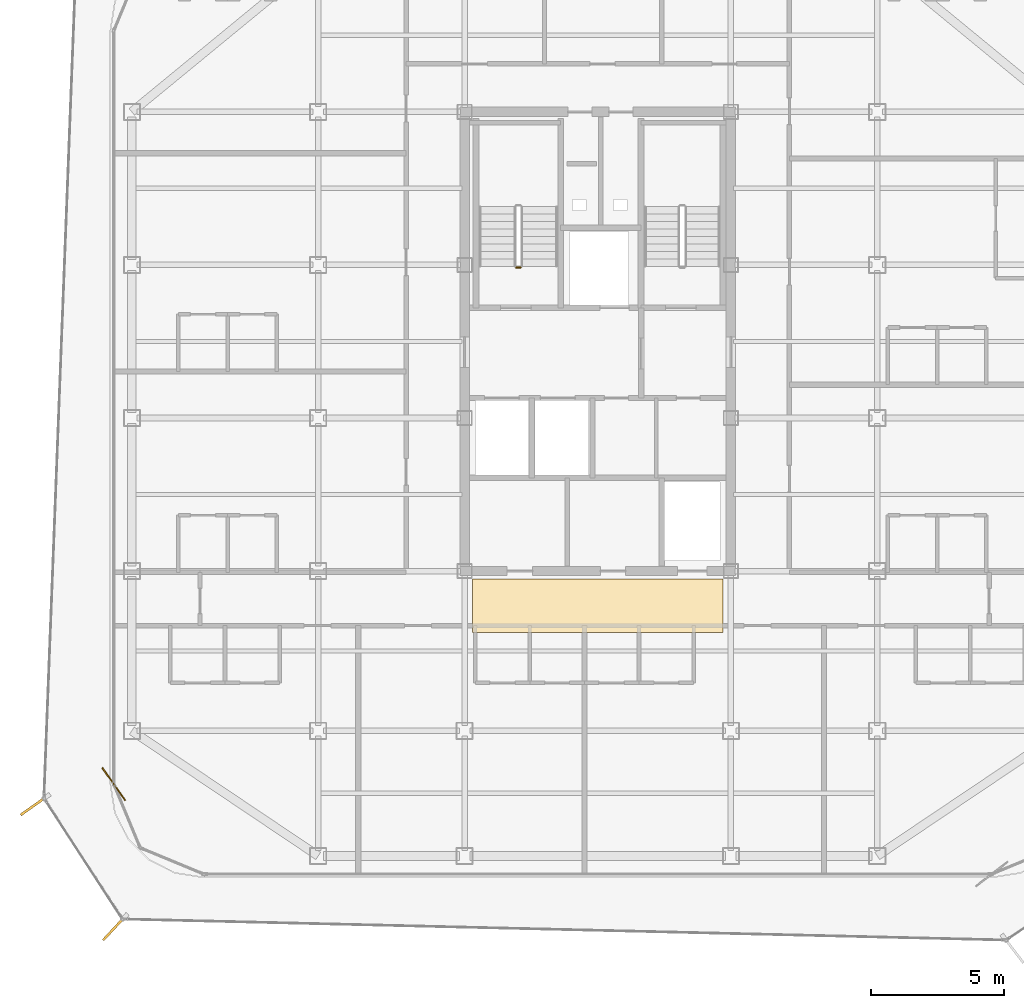
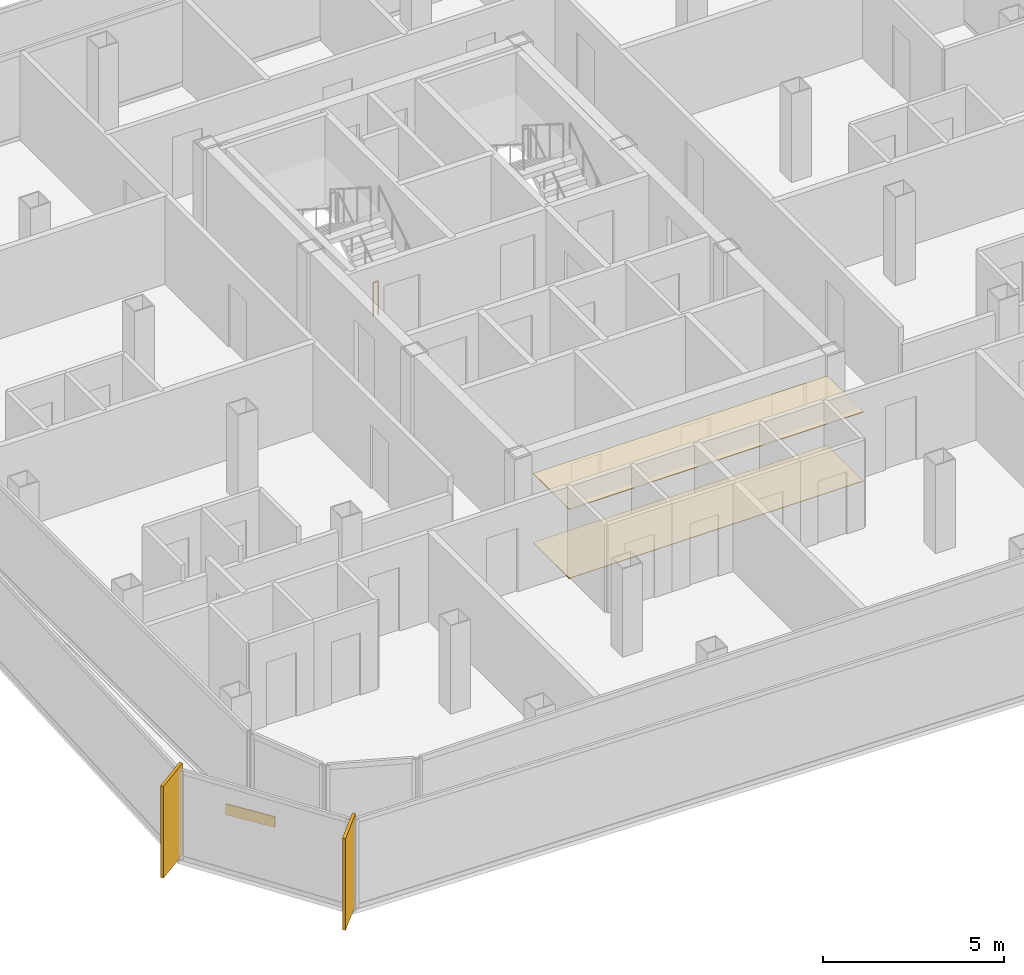
# One storey, part 14 of 16: 3 coverings, 2 shading devices, 1 railing.
"""IFC4 building model written with IfcOpenShell, lengths in metres."""

from ifc_helpers import new_model, si_unit, direction, frame, origin, origin_2d, place, context, subcontext, project, spatial, polyline, rectangle, circle, outline, extrude, source, transform, mapped, material, layer, layer_set, type_object, element, save


model = new_model("IFC4")

# Units and contexts
model_context = context("Model", 3, precision=1e-05, world=origin(), true_north=direction((0.0, 1.0)))
body_context = subcontext(model_context, "Body", "Model", "MODEL_VIEW")
ifc_project = project(units=[si_unit("LENGTHUNIT", "METRE"), si_unit("AREAUNIT", "SQUARE_METRE"), si_unit("VOLUMEUNIT", "CUBIC_METRE"), si_unit("PLANEANGLEUNIT", "RADIAN"), si_unit("MASSUNIT", "GRAM", prefix="KILO")], contexts=[model_context])

# Site, building, storey
site_placement = place(None, origin())
site = spatial("IfcSite", under=ifc_project, at=site_placement, CompositionType="ELEMENT")
building_placement = place(site_placement, origin())
building = spatial("IfcBuilding", under=site, at=building_placement, Name="Kolveth Station Tower", CompositionType="ELEMENT")
storey_placement = place(building_placement, frame((0.0, 0.0, 236.10009765625)))
storey = spatial("IfcBuildingStorey", under=building, at=storey_placement, Name="L67", CompositionType="ELEMENT", Elevation=236.10009765625)

# Coverings
ifc_material_1 = material(Name="Acoustic mineral-fibre ceiling tile")
ifc_layer_1 = layer(ifc_material_1, 0.02490234375)
ifc_layer_set_1 = layer_set([ifc_layer_1], Name="Acoustic mineral-fibre ceiling tile")
covering_type_1 = type_object("IfcCoveringType", Name="Ceil_CL1", PredefinedType="CEILING", material=ifc_layer_set_1)
covering_1_placement = place(storey_placement, frame((0.0, 0.0, 2.329833984375)))
element("IfcCovering", 1, at=covering_1_placement, inside=storey, type_object=covering_type_1, Name="L67 Lift Lobby Suspended Ceiling", PredefinedType="CEILING", context=body_context, shape_type="SweptSolid", body=[
    extrude(outline(polyline([(18.800048828125, 9.199951171875), (28.199951171875, 9.199951171875), (28.199951171875, 11.199951171875), (18.800048828125, 11.199951171875), (18.800048828125, 9.199951171875)])), origin(), (0.0, 0.0, 1.0), 0.025146484375),
])
ifc_material_2 = material(Name="Honed terrazzo flooring")
ifc_layer_2 = layer(ifc_material_2, 0.02001953125)
ifc_layer_set_2 = layer_set([ifc_layer_2], Name="Honed terrazzo flooring")
covering_type_2 = type_object("IfcCoveringType", Name="Floor_FL1", PredefinedType="FLOORING", material=ifc_layer_set_2)
covering_2_placement = place(storey_placement, origin())
element("IfcCovering", 2, at=covering_2_placement, inside=storey, type_object=covering_type_2, Name="L67 Lift Lobby Floor Finish", PredefinedType="FLOORING", context=body_context, shape_type="SweptSolid", body=[
    extrude(outline(polyline([(18.800048828125, 9.199951171875), (28.199951171875, 9.199951171875), (28.199951171875, 11.199951171875), (18.800048828125, 11.199951171875), (18.800048828125, 9.199951171875)])), origin(), (0.0, 0.0, 1.0), 0.02001953125),
])

# Railing
ifc_material_3 = material(Name="Painted Steel S355 balustrade", Category="steel")
railing_type = type_object("IfcRailingType", Name="Guard_GR2", PredefinedType="BALUSTRADE", material=ifc_material_3)
railing_placement = place(storey_placement, frame((20.60009765625, 22.89990234375, 0.0)))
element("IfcRailing", 3, at=railing_placement, inside=storey, type_object=railing_type, Name="L67 ST1 stair guard 4", PredefinedType="BALUSTRADE", context=body_context, shape_type="SweptSolid", body=[
    extrude(circle(Radius=0.02392578125, at=origin_2d()), frame((0.0, 0.0, 1.1259765625), z_axis=(-1.0, 0.0, 0.0), x_axis=(0.0, -1.0, 0.0)), (0.0, 0.0, 1.0), 0.16015625),
    extrude(circle(Radius=0.02099609375, at=origin_2d()), origin(), (0.0, 0.0, 1.0), 1.101806640625),
    extrude(circle(Radius=0.02099609375, at=origin_2d()), frame((-0.16015625, 0.0, 0.0)), (0.0, 0.0, 1.0), 1.101806640625),
])

# Shading devices
ifc_material_4 = material(Name="Black anodized aluminium 6063-T6", Category="aluminium")
shading_device_type = type_object("IfcShadingDeviceType", Name="FIN_VF1", PredefinedType="USERDEFINED", material=ifc_material_4)
shared_shape_1 = source(origin(), body_context, "Body", "SweptSolid", [
    extrude(rectangle(XDim=1.25, YDim=0.090087890625, at=origin_2d()), origin(), (0.0, 0.0, 1.0), 3.10009765625),
])
for number, where, z_axis, x_axis, name in (
    (4, (2.3349609375, 2.699951171875, -0.000244140625), (0.0, 0.0, 1.0), (-0.816742273561, -0.577002650408, 0.0), "L67 Dark-Aluminium Solar Fin 7"),
    (5, (5.346923828125, -1.906005859375, -0.000244140625), (0.0, 0.0, 1.0), (-0.6803372171, -0.732899222969, 0.0), "L67 Dark-Aluminium Solar Fin 8"),
):
    element("IfcShadingDevice", number, at=place(storey_placement, frame(where, z_axis=z_axis, x_axis=x_axis)), inside=storey, type_object=shading_device_type, Name=name, ObjectType="FIN", PredefinedType="USERDEFINED", context=body_context, shape_type="MappedRepresentation", body=[
        mapped(shared_shape_1, transform((0.0, 0.0, 0.0), x_axis=(1.0, 0.0, 0.0), y_axis=(0.0, 1.0, 0.0), z_axis=(0.0, 0.0, 1.0), scale=1.0)),
    ])

# Covering
ifc_material_5 = material(Name="Charcoal anodized aluminium spandrel cladding", Category="aluminium")
ifc_layer_3 = layer(ifc_material_5, 0.044921875)
ifc_layer_set_3 = layer_set([ifc_layer_3], Name="Charcoal anodized aluminium spandrel cladding")
covering_type_3 = type_object("IfcCoveringType", Name="Clad_CD1", PredefinedType="CLADDING", material=ifc_layer_set_3)
shared_shape_2 = source(origin(), body_context, "Body", "SweptSolid", [
    extrude(rectangle(XDim=1.5, YDim=0.044921875, at=origin_2d()), origin(), (0.0, 0.0, 1.0), 0.360107421875),
])
covering_3_placement = place(storey_placement, frame((5.320068359375, 3.5, 0.0), z_axis=(0.0, 0.0, 1.0), x_axis=(0.577002650408, -0.816742273561, 0.0)))
element("IfcCovering", 6, at=covering_3_placement, inside=storey, type_object=covering_type_3, Name="L67 Spandrel Edge Cladding 7", PredefinedType="CLADDING", context=body_context, shape_type="MappedRepresentation", body=[
    mapped(shared_shape_2, transform((0.0, 0.0, 0.0), x_axis=(1.0, 0.0, 0.0), y_axis=(0.0, 1.0, 0.0), z_axis=(0.0, 0.0, 1.0), scale=1.0)),
])

save(model, "model.ifc")
